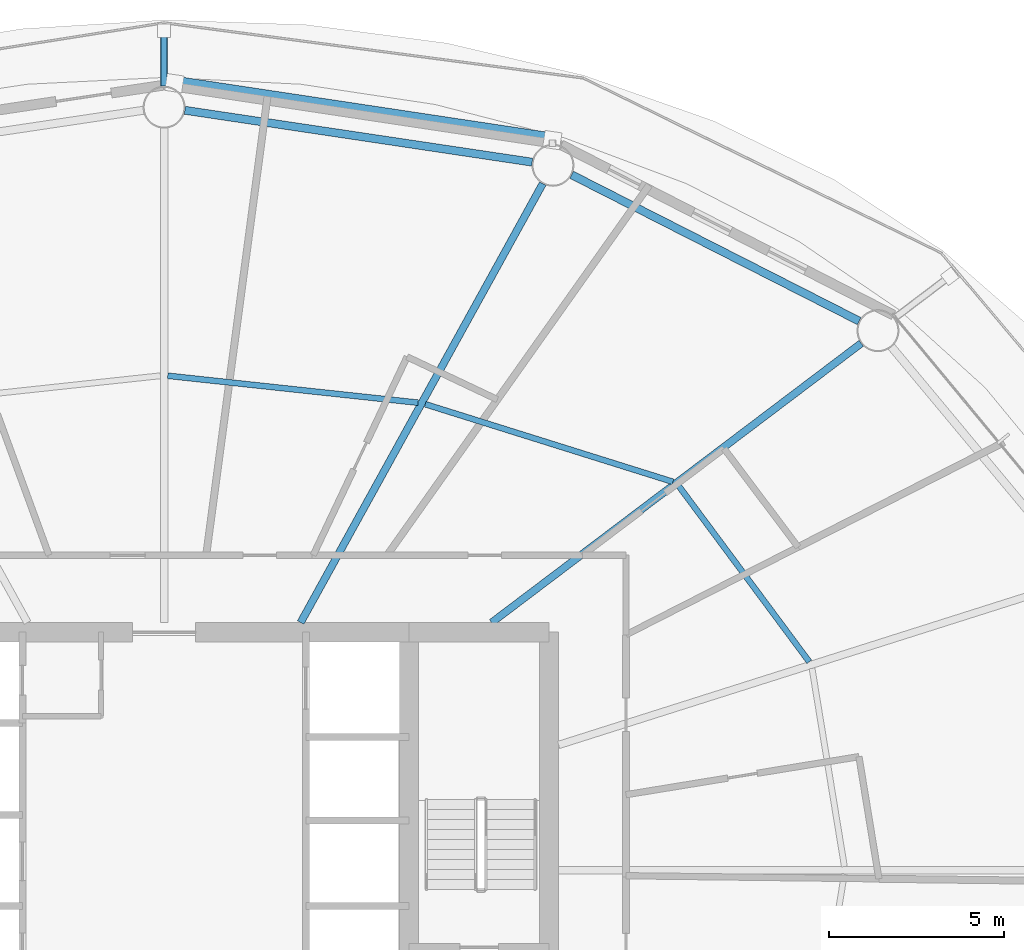
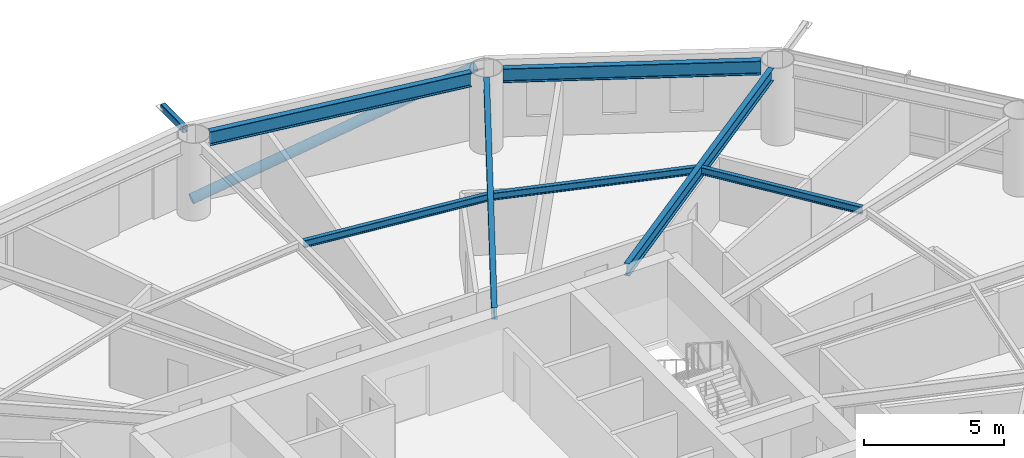
# One storey, part 11 of 24: 7 beams, 2 members.
"""IFC4 building model written with IfcOpenShell, lengths in metres."""

import ifcopenshell
import ifcopenshell.guid

model = None  # the IFC model being written
_history = None  # IfcOwnerHistory: only IFC2X3 demands one
_inside = {}  # id of a spatial element -> (the spatial element, [elements in it])
_under = {}  # id of a project, library or spatial element -> (it, [spatial elements below it])
_declared = {}  # id of a project -> (the project, [libraries it declares])
_typed = {}  # id of a type object -> (the type object, [elements of that type])
_made_of = {}  # id of a material, layer set ... -> (it, [elements and type objects made of it])


def new_model(schema):
    """Start an empty IFC model of exactly this schema.

    Asked for "IFC4X3", IfcOpenShell would pick the latest addendum, in which some entities
    have other attributes; the version numbers below select the first issue.
    IFC2X3 requires an IfcOwnerHistory on every rooted entity: one is made here for all.
    """
    global model, _history
    if schema == "IFC4X3":
        model = ifcopenshell.file(schema_version=(4, 3, 0, 0))
    else:
        model = ifcopenshell.file(schema=schema)
    _inside.clear()
    _under.clear()
    _declared.clear()
    _typed.clear()
    _made_of.clear()
    _history = None
    if model.schema == "IFC2X3":
        org = make("IfcOrganization", Name="unknown")
        user = make(
            "IfcPersonAndOrganization",
            ThePerson=make("IfcPerson", FamilyName="unknown"),
            TheOrganization=org,
        )
        app = make(
            "IfcApplication",
            ApplicationDeveloper=org,
            Version="unknown",
            ApplicationFullName="unknown",
            ApplicationIdentifier="unknown",
        )
        _history = make(
            "IfcOwnerHistory",
            OwningUser=user,
            OwningApplication=app,
            ChangeAction="ADDED",
            CreationDate=0,
        )
    return model


def make(cls, **values):
    """One entity of the class cls with the attributes given. An attribute that is None is left unset."""
    return model.create_entity(
        cls, **{name: value for name, value in values.items() if value is not None}
    )


def rooted(cls, **values):
    """An entity with a GlobalId (a new one), such as an element, a storey or a relation."""
    return make(cls, GlobalId=ifcopenshell.guid.new(), OwnerHistory=_history, **values)


def si_unit(unit_type, name, prefix=None):
    """IfcSIUnit, for example si_unit("LENGTHUNIT", "METRE", prefix="MILLI")."""
    return make("IfcSIUnit", UnitType=unit_type, Prefix=prefix, Name=name)


def assignment(units):
    """IfcUnitAssignment: the units of a project."""
    return None if units is None else make("IfcUnitAssignment", Units=units)


def point(xyz):
    """IfcCartesianPoint."""
    return None if xyz is None else make("IfcCartesianPoint", Coordinates=xyz)


def direction(xyz):
    """IfcDirection."""
    return None if xyz is None else make("IfcDirection", DirectionRatios=xyz)


def frame(location, z_axis=None, x_axis=None):
    """IfcAxis2Placement3D, a coordinate frame: its origin and axes. An axis left out is left unset."""
    return make(
        "IfcAxis2Placement3D",
        Location=point(location),
        Axis=direction(z_axis),
        RefDirection=direction(x_axis),
    )


def frame_2d(location, x_axis=None):
    """IfcAxis2Placement2D, a coordinate frame in the plane: its origin and x axis."""
    return make(
        "IfcAxis2Placement2D", Location=point(location), RefDirection=direction(x_axis)
    )


def origin():
    """The frame at (0, 0, 0) with its axes left unset."""
    return frame((0.0, 0.0, 0.0))


def origin_2d():
    """The frame at (0, 0) in the plane with its x axis left unset."""
    return frame_2d((0.0, 0.0))


def place(relative_to, where):
    """IfcLocalPlacement: puts the frame where relative to a parent placement (None: the world)."""
    return make(
        "IfcLocalPlacement", PlacementRelTo=relative_to, RelativePlacement=where
    )


def context(
    kind, dimensions, precision=None, world=None, true_north=None, identifier=None
):
    """IfcGeometricRepresentationContext, for example the 3D "Model" context."""
    return make(
        "IfcGeometricRepresentationContext",
        ContextIdentifier=identifier,
        ContextType=kind,
        CoordinateSpaceDimension=dimensions,
        Precision=precision,
        WorldCoordinateSystem=world,
        TrueNorth=true_north,
    )


def subcontext(parent, identifier, kind, view, scale=None):
    """IfcGeometricRepresentationSubContext, for example "Body" below "Model"."""
    return make(
        "IfcGeometricRepresentationSubContext",
        ContextIdentifier=identifier,
        ContextType=kind,
        ParentContext=parent,
        TargetScale=scale,
        TargetView=view,
    )


def project(units=None, contexts=None):
    """IfcProject with its units and contexts."""
    return rooted(
        "IfcProject",
        Name="project",
        RepresentationContexts=contexts,
        UnitsInContext=assignment(units),
    )


def spatial(cls, under=None, at=None, **own):
    """A site, building, storey or space (cls), placed at a placement, below another one or the project."""
    s = rooted(cls, ObjectPlacement=at, **own)
    if under is not None:
        _under.setdefault(under.id(), (under, []))[1].append(s)
    return s


def profile(cls, at=None, kind="AREA", **sizes):
    """A parametric profile (cls). Its sizes go by their IFC names, for example OverallWidth=200.0."""
    return make(cls, ProfileType=kind, Position=at, **sizes)


def hollow_rectangle(**sizes):
    """IfcRectangleHollowProfileDef."""
    return profile("IfcRectangleHollowProfileDef", **sizes)


def hollow_circle(**sizes):
    """IfcCircleHollowProfileDef."""
    return profile("IfcCircleHollowProfileDef", **sizes)


def i_section(**sizes):
    """IfcIShapeProfileDef."""
    return profile("IfcIShapeProfileDef", **sizes)


def extrude(swept, where, along, depth):
    """IfcExtrudedAreaSolid: the profile swept, set in the frame where, extruded along a direction by depth."""
    return make(
        "IfcExtrudedAreaSolid",
        SweptArea=swept,
        Position=where,
        ExtrudedDirection=direction(along),
        Depth=depth,
    )


def shape(context_of_items, identifier, shape_type, items):
    """IfcShapeRepresentation: the items that make up one representation, for example the "Body"."""
    return make(
        "IfcShapeRepresentation",
        ContextOfItems=context_of_items,
        RepresentationIdentifier=identifier,
        RepresentationType=shape_type,
        Items=items,
    )


def material(Name=None, Category=None):
    """IfcMaterial."""
    return make("IfcMaterial", Name=Name, Category=Category)


def material_profile(
    of_material, cross_section, Name=None, Category=None, Priority=None
):
    """IfcMaterialProfile: a cross section and its material."""
    return make(
        "IfcMaterialProfile",
        Name=Name,
        Material=of_material,
        Profile=cross_section,
        Priority=Priority,
        Category=Category,
    )


def profile_set(profiles, Name=None, composite=None):
    """IfcMaterialProfileSet."""
    return make(
        "IfcMaterialProfileSet",
        Name=Name,
        MaterialProfiles=profiles,
        CompositeProfile=composite,
    )


def made_of(thing, what):
    """Note that an element or type object is made of a material, layer set ...; save() writes the relation."""
    if what is not None:
        _made_of.setdefault(what.id(), (what, []))[1].append(thing)
    return thing


def type_object(cls, material=None, **own):
    """A type object (cls), such as IfcWallType, which elements share."""
    return made_of(rooted(cls, **own), material)


def element(
    cls,
    number,
    at=None,
    inside=None,
    cuts=None,
    type_object=None,
    material=None,
    context=None,
    identifier="Body",
    shape_type=None,
    held_by="IfcProductDefinitionShape",
    body=None,
    shapes=None,
    **own,
):
    """One element of the class cls, such as IfcWall. Its Tag is "e" and its number.

    at: its placement. inside: the storey or other place that contains it. cuts: it is an
    opening in that element (IfcRelVoidsElement). A single representation is given by context,
    identifier, shape_type and body (its items); several are given by shapes. held_by: the class
    of the entity that holds the representations. save() writes the other relations.
    """
    e = rooted(cls, Tag="e%d" % number, ObjectPlacement=at, **own)
    if body is not None:
        shapes = [shape(context, identifier, shape_type, body)]
    if shapes is not None:
        e.Representation = make(held_by, Representations=shapes)
    if inside is not None:
        _inside.setdefault(inside.id(), (inside, []))[1].append(e)
    if cuts is not None:
        rooted(
            "IfcRelVoidsElement", RelatingBuildingElement=cuts, RelatedOpeningElement=e
        )
    if type_object is not None:
        _typed.setdefault(type_object.id(), (type_object, []))[1].append(e)
    return made_of(e, material)


def aggregate(whole, parts):
    """IfcRelAggregates: a whole, such as a stair, and the parts it consists of."""
    return rooted("IfcRelAggregates", RelatingObject=whole, RelatedObjects=parts)


def save(model, path):
    """Write the relations noted so far, then the file.

    IfcRelAggregates (storeys below a building ...), IfcRelContainedInSpatialStructure (elements
    in a storey), IfcRelDefinesByType, IfcRelAssociatesMaterial and IfcRelDeclares: one each for
    every whole, place, type object, material and project.
    """
    for whole, parts in _under.values():
        aggregate(whole, parts)
    for where, things in _inside.values():
        rooted(
            "IfcRelContainedInSpatialStructure",
            RelatedElements=things,
            RelatingStructure=where,
        )
    for kind, things in _typed.values():
        rooted("IfcRelDefinesByType", RelatedObjects=things, RelatingType=kind)
    for what, things in _made_of.values():
        rooted("IfcRelAssociatesMaterial", RelatedObjects=things, RelatingMaterial=what)
    for by, libraries in _declared.values():
        rooted("IfcRelDeclares", RelatingContext=by, RelatedDefinitions=libraries)
    model.write(path)


model = new_model("IFC4")

# Units and contexts
model_context = context("Model", 3, precision=1e-05, world=origin(), true_north=direction((0.0, 1.0)))
body_context = subcontext(model_context, "Body", "Model", "MODEL_VIEW")
ifc_project = project(units=[si_unit("LENGTHUNIT", "METRE"), si_unit("AREAUNIT", "SQUARE_METRE"), si_unit("VOLUMEUNIT", "CUBIC_METRE"), si_unit("PLANEANGLEUNIT", "RADIAN"), si_unit("MASSUNIT", "GRAM", prefix="KILO")], contexts=[model_context])

# Site, building, storey
site_placement = place(None, origin())
site = spatial("IfcSite", under=ifc_project, at=site_placement, CompositionType="ELEMENT")
building_placement = place(site_placement, origin())
building = spatial("IfcBuilding", under=site, at=building_placement, Name="Sarneth Arch Tower", CompositionType="ELEMENT")
storey_placement = place(building_placement, frame((0.0, 0.0, 109.199951171875)))
storey = spatial("IfcBuildingStorey", under=building, at=storey_placement, Name="L27", CompositionType="ELEMENT", Elevation=109.199951171875)

# Beams
ifc_material_1 = material(Name="Steel S355", Category="steel")
ifc_material_profile_1 = material_profile(ifc_material_1, i_section(OverallWidth=0.1669921875, OverallDepth=0.31689453125, WebThickness=0.007568359375, FlangeThickness=0.01318359375, FilletRadius=0.012939453125, at=origin_2d()), Name="W310x52")
ifc_profile_set_1 = profile_set([ifc_material_profile_1], Name="Steel S355")
beam_type_1 = type_object("IfcBeamType", Name="BM-JOIST-310B", PredefinedType="JOIST", material=ifc_profile_set_1)
beam_1_placement = place(storey_placement, frame((66.434326171875, 47.9541015625, 3.221435546875), z_axis=(-0.596098474255, 0.802911333206, 0.0), x_axis=(-0.802911333206, -0.596098474255, 0.0)))
element("IfcBeam", 1, at=beam_1_placement, inside=storey, type_object=beam_type_1, Name="L27 Secondary floor joist 02", PredefinedType="JOIST", context=body_context, shape_type="SweptSolid", body=[
    extrude(i_section(OverallWidth=0.1669921875, OverallDepth=0.31689453125, WebThickness=0.007568359375, FlangeThickness=0.01318359375, FilletRadius=0.012939453125, at=origin_2d()), origin(), (0.0, 0.0, 1.0), 6.259033203125),
])
beam_2_placement = place(storey_placement, frame((62.539794921875, 53.095703125, 3.221435546875), z_axis=(-0.954245982384, 0.299022750146, 0.0), x_axis=(-0.299022750146, -0.954245982384, 0.0)))
element("IfcBeam", 2, at=beam_2_placement, inside=storey, type_object=beam_type_1, Name="L27 Secondary floor joist 03", PredefinedType="JOIST", context=body_context, shape_type="SweptSolid", body=[
    extrude(i_section(OverallWidth=0.1669921875, OverallDepth=0.31689453125, WebThickness=0.007568359375, FlangeThickness=0.01318359375, FilletRadius=0.012939453125, at=origin_2d()), origin(), (0.0, 0.0, 1.0), 7.416748046875),
])
beam_3_placement = place(storey_placement, frame((55.2568359375, 55.3564453125, 3.221435546875), z_axis=(-0.994257420028, 0.107014871487, 0.0), x_axis=(-0.107014871487, -0.994257420028, 0.0)))
element("IfcBeam", 3, at=beam_3_placement, inside=storey, type_object=beam_type_1, Name="L27 Secondary floor joist 04", PredefinedType="JOIST", context=body_context, shape_type="SweptSolid", body=[
    extrude(i_section(OverallWidth=0.1669921875, OverallDepth=0.31689453125, WebThickness=0.007568359375, FlangeThickness=0.01318359375, FilletRadius=0.012939453125, at=origin_2d()), origin(), (0.0, 0.0, 1.0), 7.193115234375),
])
ifc_material_2 = material(Name="Steel S355", Category="steel")
ifc_material_profile_2 = material_profile(ifc_material_2, i_section(OverallWidth=0.2109375, OverallDepth=0.5390625, WebThickness=0.01171875, FlangeThickness=0.018798828125, FilletRadius=0.01806640625, at=origin_2d()), Name="W530x109")
ifc_profile_set_2 = profile_set([ifc_material_profile_2], Name="Steel S355")
beam_type_2 = type_object("IfcBeamType", Name="BM-RAD-530B", PredefinedType="BEAM", material=ifc_profile_set_2)
beam_4_placement = place(storey_placement, frame((57.36181640625, 49.074951171875, 3.110595703125), z_axis=(0.797802835234, 0.602918432371, 0.0), x_axis=(-0.602918432371, 0.797802835234, 0.0)))
element("IfcBeam", 4, at=beam_4_placement, inside=storey, type_object=beam_type_2, Name="L27 Radial floor girder 03", PredefinedType="BEAM", context=body_context, shape_type="SweptSolid", body=[
    extrude(i_section(OverallWidth=0.2109375, OverallDepth=0.5390625, WebThickness=0.01171875, FlangeThickness=0.018798828125, FilletRadius=0.01806640625, at=origin_2d()), origin(), (0.0, 0.0, 1.0), 13.232666015625),
])
beam_5_placement = place(storey_placement, frame((51.90283203125, 49.074951171875, 3.110595703125), z_axis=(0.483021011336, 0.875608761153, 0.0), x_axis=(-0.875608761153, 0.483021011336, 0.0)))
element("IfcBeam", 5, at=beam_5_placement, inside=storey, type_object=beam_type_2, Name="L27 Radial floor girder 04", PredefinedType="BEAM", context=body_context, shape_type="SweptSolid", body=[
    extrude(i_section(OverallWidth=0.2109375, OverallDepth=0.5390625, WebThickness=0.01171875, FlangeThickness=0.018798828125, FilletRadius=0.01806640625, at=origin_2d()), origin(), (0.0, 0.0, 1.0), 14.32177734375),
])
ifc_material_3 = material(Name="Steel S355", Category="steel")
ifc_material_profile_3 = material_profile(ifc_material_3, i_section(OverallWidth=0.22900390625, OverallDepth=0.612060546875, WebThickness=0.011962890625, FlangeThickness=0.01953125, FilletRadius=0.01904296875, at=origin_2d()), Name="W610x125")
ifc_profile_set_3 = profile_set([ifc_material_profile_3], Name="Steel S355")
beam_type_3 = type_object("IfcBeamType", Name="BM-SPAN-610C", PredefinedType="SPANDREL", material=ifc_profile_set_3)
beam_6_placement = place(storey_placement, frame((67.86279296875, 57.68701171875, 3.073974609375), z_axis=(-0.891259443414, 0.453493775619, 0.0), x_axis=(-0.453493775619, -0.891259443414, 0.0)))
element("IfcBeam", 6, at=beam_6_placement, inside=storey, type_object=beam_type_3, Name="L27 Perimeter spandrel beam 03", PredefinedType="SPANDREL", context=body_context, shape_type="SweptSolid", body=[
    extrude(i_section(OverallWidth=0.22900390625, OverallDepth=0.612060546875, WebThickness=0.011962890625, FlangeThickness=0.01953125, FilletRadius=0.01904296875, at=origin_2d()), origin(), (0.0, 0.0, 1.0), 9.220458984375),
])
beam_7_placement = place(storey_placement, frame((58.516845703125, 62.229248046875, 3.073974609375), z_axis=(-0.989028613319, 0.147724073992, 0.0), x_axis=(-0.147724073992, -0.989028613319, 0.0)))
element("IfcBeam", 7, at=beam_7_placement, inside=storey, type_object=beam_type_3, Name="L27 Perimeter spandrel beam 04", PredefinedType="SPANDREL", context=body_context, shape_type="SweptSolid", body=[
    extrude(i_section(OverallWidth=0.22900390625, OverallDepth=0.612060546875, WebThickness=0.011962890625, FlangeThickness=0.01953125, FilletRadius=0.01904296875, at=origin_2d()), origin(), (0.0, 0.0, 1.0), 10.033447265625),
])

# Members
ifc_material_4 = material(Name="Steel S355", Category="steel")
ifc_material_profile_4 = material_profile(ifc_material_4, hollow_rectangle(XDim=0.199951171875, YDim=0.300048828125, WallThickness=0.012451171875, InnerFilletRadius=0.018798828125, OuterFilletRadius=0.03125, at=origin_2d()), Name="RHS300x200x12.5")
ifc_profile_set_4 = profile_set([ifc_material_profile_4], Name="Steel S355")
member_type_1 = type_object("IfcMemberType", Name="MEM-CANT-STRUT", PredefinedType="STRUT", material=ifc_profile_set_4)
member_1_placement = place(storey_placement, frame((48.0, 64.39990234375, 3.219970703125), z_axis=(0.0, 1.0, 0.0), x_axis=(-1.0, 0.0, 0.0)))
element("IfcMember", 8, at=member_1_placement, inside=storey, type_object=member_type_1, Name="L27 Balcony cantilever bracket 05", PredefinedType="STRUT", context=body_context, shape_type="SweptSolid", body=[
    extrude(hollow_rectangle(XDim=0.199951171875, YDim=0.300048828125, WallThickness=0.012451171875, InnerFilletRadius=0.018798828125, OuterFilletRadius=0.03125, at=origin_2d()), origin(), (0.0, 0.0, 1.0), 1.583984375),
])
ifc_material_5 = material(Name="Steel S355", Category="steel")
ifc_material_profile_5 = material_profile(ifc_material_5, hollow_circle(Radius=0.202880859375, WallThickness=0.01611328125, at=origin_2d()), Name="CHS406x16")
ifc_profile_set_5 = profile_set([ifc_material_profile_5], Name="Steel S355")
member_type_2 = type_object("IfcMemberType", Name="MEM-DIAG-BR2", PredefinedType="BRACE", material=ifc_profile_set_5)
member_2_placement = place(storey_placement, frame((48.296630859375, 64.4853515625, 0.02001953125), z_axis=(0.953667510586, -0.143607606182, 0.26437688004), x_axis=(0.148905755657, 0.988851392239, 0.0)))
element("IfcMember", 9, at=member_2_placement, inside=storey, type_object=member_type_2, Name="L27 Perimeter frame diagonal 04", PredefinedType="BRACE", context=body_context, shape_type="SweptSolid", body=[
    extrude(hollow_circle(Radius=0.202880859375, WallThickness=0.01611328125, at=origin_2d()), origin(), (0.0, 0.0, 1.0), 11.320556640625),
])

save(model, "model.ifc")
